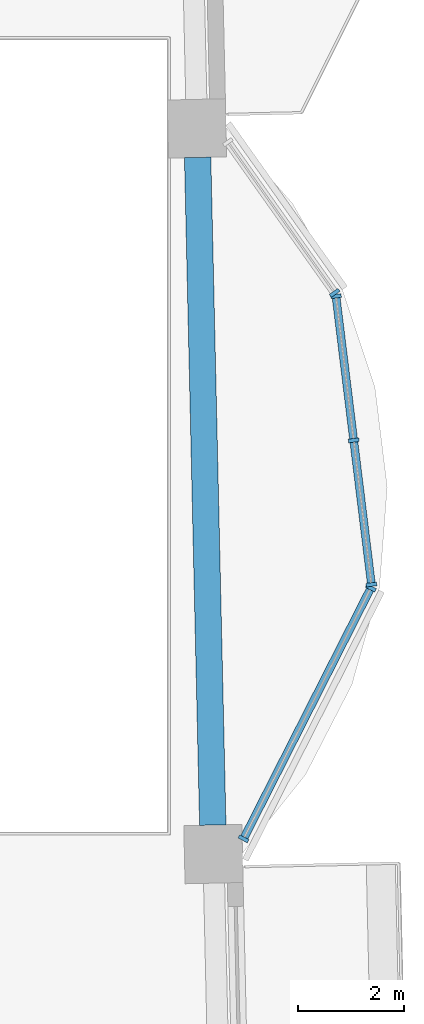
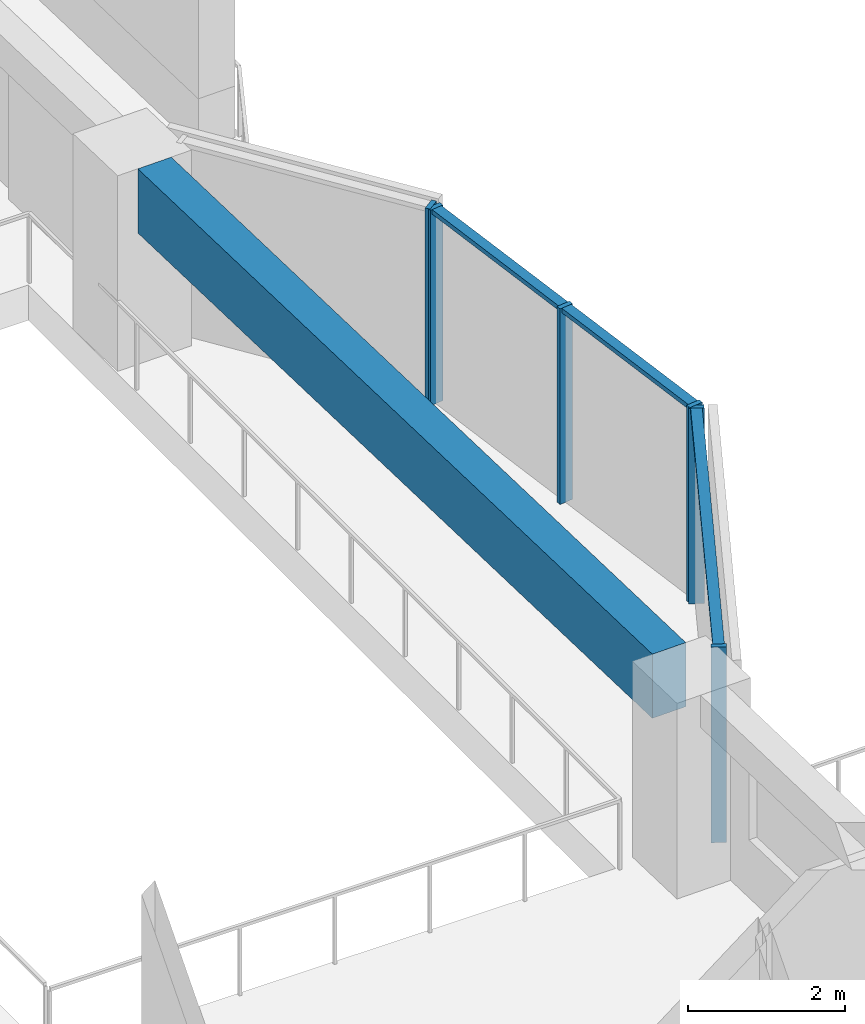
# One storey, part 2 of 16: 9 members, 1 beam, 3 elements without a shape of their own.
"""IFC4 building model written with IfcOpenShell, lengths in metres."""

from ifc_helpers import new_model, si_unit, direction, frame, origin, origin_2d, place, context, subcontext, project, spatial, rectangle, extrude, material, material_profile, profile_set, type_object, element, aggregate, save


model = new_model("IFC4")

# Units and contexts
model_context = context("Model", 3, precision=1e-05, world=origin(), true_north=direction((0.0, 1.0)))
body_context = subcontext(model_context, "Body", "Model", "MODEL_VIEW")
ifc_project = project(units=[si_unit("LENGTHUNIT", "METRE"), si_unit("AREAUNIT", "SQUARE_METRE"), si_unit("VOLUMEUNIT", "CUBIC_METRE"), si_unit("PLANEANGLEUNIT", "RADIAN"), si_unit("MASSUNIT", "GRAM", prefix="KILO")], contexts=[model_context])

# Site, building, storey
site_placement = place(None, origin())
site = spatial("IfcSite", under=ifc_project, at=site_placement, CompositionType="ELEMENT")
building_placement = place(site_placement, origin())
building = spatial("IfcBuilding", under=site, at=building_placement, Name="Mangrove Gate Tower", CompositionType="ELEMENT")
storey_placement = place(building_placement, frame((0.0, 0.0, 231.10009765625)))
storey = spatial("IfcBuildingStorey", under=building, at=storey_placement, Name="L58", CompositionType="ELEMENT", Elevation=231.10009765625)

# Curtain wall, members
ifc_material_1 = material(Name="Aluminium and glass curtain wall", Category="aluminium")
curtain_wall_type = type_object("IfcCurtainWallType", Name="Atrium garden-court glazing wall", PredefinedType="NOTDEFINED", material=ifc_material_1)
curtain_wall_1_placement = place(storey_placement, origin())
curtain_wall_1 = element("IfcCurtainWall", 1, at=curtain_wall_1_placement, inside=storey, type_object=curtain_wall_type, Name="Atrium garden-court glazing E1f1", PredefinedType="NOTDEFINED")
ifc_material_2 = material(Name="Aluminium alloy 6063-T6", Category="aluminium")
ifc_material_profile_1 = material_profile(ifc_material_2, rectangle(XDim=0.070068359375, YDim=0.199951171875, at=origin_2d()))
ifc_profile_set_1 = profile_set([ifc_material_profile_1], Name="Aluminium alloy 6063-T6")
member_type_1 = type_object("IfcMemberType", Name="Atrium garden-court glazing mullion 70x200", PredefinedType="MULLION", material=ifc_profile_set_1)
member_1_placement = place(storey_placement, frame((25.67333984375, -7.632080078125, 0.0), z_axis=(0.0, 0.0, 1.0), x_axis=(0.452597795636, 0.891714772439, 0.0)))
member_1 = element("IfcMember", 2, at=member_1_placement, type_object=member_type_1, Name="CWA mullion 1", PredefinedType="MULLION", context=body_context, shape_type="SweptSolid", body=[
    extrude(rectangle(XDim=0.070068359375, YDim=0.199951171875, at=origin_2d()), origin(), (0.0, 0.0, 1.0), 3.0498046875),
])
member_2_placement = place(storey_placement, frame((28.084716796875, -2.881103515625, 0.0), z_axis=(0.0, 0.0, 1.0), x_axis=(0.452597795636, 0.891714772439, 0.0)))
member_2 = element("IfcMember", 3, at=member_2_placement, type_object=member_type_1, Name="CWA mullion 2", PredefinedType="MULLION", context=body_context, shape_type="SweptSolid", body=[
    extrude(rectangle(XDim=0.070068359375, YDim=0.199951171875, at=origin_2d()), origin(), (0.0, 0.0, 1.0), 3.0498046875),
])

curtain_wall_2_placement = place(storey_placement, origin())
curtain_wall_2 = element("IfcCurtainWall", 4, at=curtain_wall_2_placement, inside=storey, type_object=curtain_wall_type, Name="Atrium garden-court glazing E1f2", PredefinedType="NOTDEFINED")
member_3_placement = place(storey_placement, frame((28.09619140625, -2.815185546875, 0.0), z_axis=(0.0, 0.0, 1.0), x_axis=(-0.122172285885, 0.992508908051, 0.0)))
member_3 = element("IfcMember", 5, at=member_3_placement, type_object=member_type_1, Name="CWA mullion 1", PredefinedType="MULLION", context=body_context, shape_type="SweptSolid", body=[
    extrude(rectangle(XDim=0.070068359375, YDim=0.199951171875, at=origin_2d()), origin(), (0.0, 0.0, 1.0), 3.0498046875),
])
member_4_placement = place(storey_placement, frame((27.760009765625, -0.083984375, 0.0), z_axis=(0.0, 0.0, 1.0), x_axis=(-0.122172285885, 0.992508908051, 0.0)))
member_4 = element("IfcMember", 6, at=member_4_placement, type_object=member_type_1, Name="CWA mullion 2", PredefinedType="MULLION", context=body_context, shape_type="SweptSolid", body=[
    extrude(rectangle(XDim=0.070068359375, YDim=0.199951171875, at=origin_2d()), origin(), (0.0, 0.0, 1.0), 3.0498046875),
])
member_5_placement = place(storey_placement, frame((27.423828125, 2.647216796875, 0.0), z_axis=(0.0, 0.0, 1.0), x_axis=(-0.122172285885, 0.992508908051, 0.0)))
member_5 = element("IfcMember", 7, at=member_5_placement, type_object=member_type_1, Name="CWA mullion 3", PredefinedType="MULLION", context=body_context, shape_type="SweptSolid", body=[
    extrude(rectangle(XDim=0.070068359375, YDim=0.199951171875, at=origin_2d()), origin(), (0.0, 0.0, 1.0), 3.0498046875),
])

# Curtain wall, member
curtain_wall_3_placement = place(storey_placement, origin())
curtain_wall_3 = element("IfcCurtainWall", 8, at=curtain_wall_3_placement, inside=storey, type_object=curtain_wall_type, Name="Atrium garden-court glazing E1f3", PredefinedType="NOTDEFINED")
member_6_placement = place(storey_placement, frame((27.3994140625, 2.71044921875, 0.0), z_axis=(0.0, 0.0, 1.0), x_axis=(-0.578120908245, 0.815951110944, 0.0)))
member_6 = element("IfcMember", 9, at=member_6_placement, type_object=member_type_1, Name="CWA mullion 1", PredefinedType="MULLION", context=body_context, shape_type="SweptSolid", body=[
    extrude(rectangle(XDim=0.070068359375, YDim=0.199951171875, at=origin_2d()), origin(), (0.0, 0.0, 1.0), 3.0498046875),
])
aggregate(curtain_wall_3, [member_6])

# Member
ifc_material_3 = material(Name="Aluminium alloy 6063-T6", Category="aluminium")
ifc_material_profile_2 = material_profile(ifc_material_3, rectangle(XDim=0.070068359375, YDim=0.14990234375, at=origin_2d()))
ifc_profile_set_2 = profile_set([ifc_material_profile_2], Name="Aluminium alloy 6063-T6")
member_type_2 = type_object("IfcMemberType", Name="Atrium garden-court glazing transom 70x150", PredefinedType="USERDEFINED", material=ifc_profile_set_2)
member_7_placement = place(storey_placement, frame((25.689208984375, -7.600830078125, 3.014892578125), z_axis=(0.452591825712, 0.891717802502, 0.0), x_axis=(0.0, 0.0, 1.0)))
member_7 = element("IfcMember", 10, at=member_7_placement, type_object=member_type_2, Name="CWA transom 1.2", ObjectType="TRANSOM", PredefinedType="USERDEFINED", context=body_context, shape_type="SweptSolid", body=[
    extrude(rectangle(XDim=0.070068359375, YDim=0.14990234375, at=origin_2d()), origin(), (0.0, 0.0, 1.0), 5.2578125),
])

aggregate(curtain_wall_1, [member_1, member_2, member_7])

member_8_placement = place(storey_placement, frame((28.092041015625, -2.7802734375, 3.014892578125), z_axis=(-0.122174517154, 0.992508633392, 0.0), x_axis=(0.0, 0.0, 1.0)))
member_8 = element("IfcMember", 11, at=member_8_placement, type_object=member_type_2, Name="CWA transom 1.2", ObjectType="TRANSOM", PredefinedType="USERDEFINED", context=body_context, shape_type="SweptSolid", body=[
    extrude(rectangle(XDim=0.070068359375, YDim=0.14990234375, at=origin_2d()), origin(), (0.0, 0.0, 1.0), 2.681640625),
])

member_9_placement = place(storey_placement, frame((27.755859375, -0.04931640625, 3.014892578125), z_axis=(-0.122174517154, 0.992508633392, 0.0), x_axis=(0.0, 0.0, 1.0)))
member_9 = element("IfcMember", 12, at=member_9_placement, type_object=member_type_2, Name="CWA transom 2.2", ObjectType="TRANSOM", PredefinedType="USERDEFINED", context=body_context, shape_type="SweptSolid", body=[
    extrude(rectangle(XDim=0.070068359375, YDim=0.14990234375, at=origin_2d()), origin(), (0.0, 0.0, 1.0), 2.681640625),
])

aggregate(curtain_wall_2, [member_3, member_4, member_5, member_8, member_9])

# Beam
ifc_material_4 = material(Name="Concrete C50/60", Category="concrete")
ifc_material_profile_3 = material_profile(ifc_material_4, rectangle(XDim=0.5, YDim=1.0, at=origin_2d()))
ifc_profile_set_3 = profile_set([ifc_material_profile_3], Name="Concrete C50/60")
beam_type = type_object("IfcBeamType", Name="Edge beam RC 500x1000 C50/60", PredefinedType="BEAM", material=ifc_profile_set_3)
beam_placement = place(storey_placement, frame((25.090576171875, -7.37158203125, 2.5498046875), z_axis=(-0.022676251595, 0.999742860747, 0.0), x_axis=(-0.999742860747, -0.022676251595, 0.0)))
element("IfcBeam", 13, at=beam_placement, inside=storey, type_object=beam_type, Name="Edge beam L58 14", PredefinedType="BEAM", context=body_context, shape_type="SweptSolid", body=[
    extrude(rectangle(XDim=0.5, YDim=1.0, at=origin_2d()), origin(), (0.0, 0.0, 1.0), 12.650390625),
])

save(model, "model.ifc")
